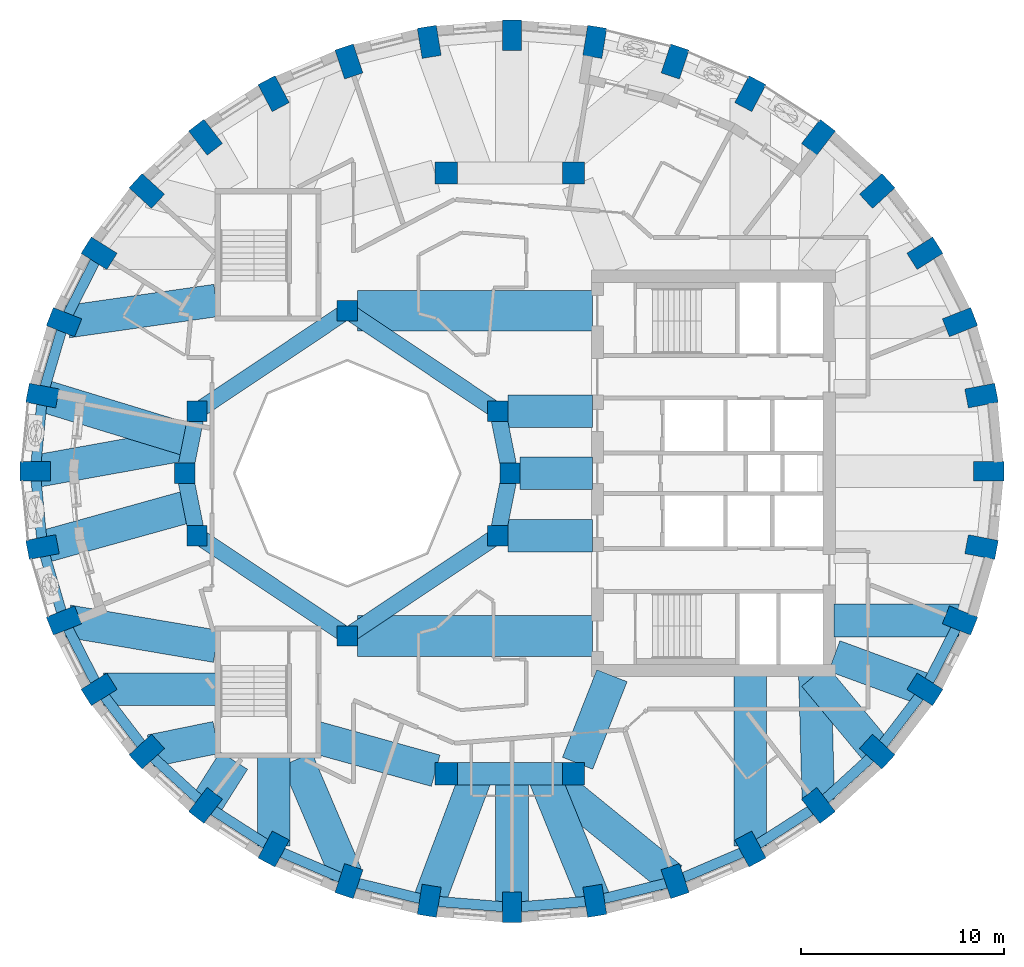
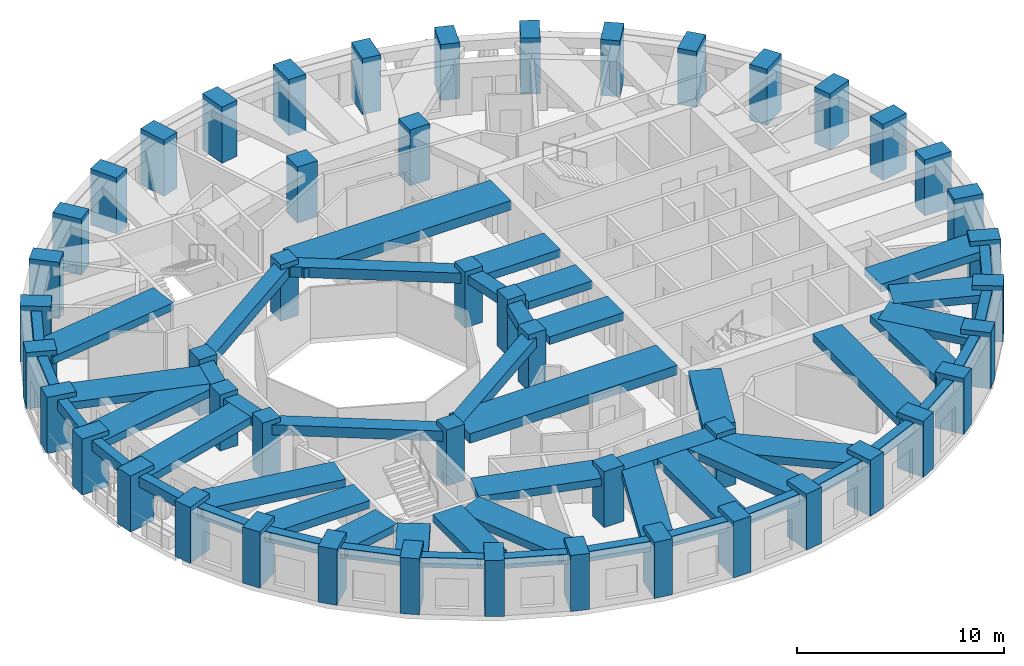
# One storey, part 1 of 12: 54 beams, 48 columns.
"""IFC4 building model written with IfcOpenShell, lengths in metres."""

from ifc_helpers import new_model, si_unit, direction, frame, origin, origin_2d, place, context, subcontext, project, spatial, rectangle, extrude, material, material_profile, profile_set, type_object, element, save


model = new_model("IFC4")

# Units and contexts
model_context = context("Model", 3, precision=1e-05, world=origin(), true_north=direction((0.0, 1.0)))
body_context = subcontext(model_context, "Body", "Model", "MODEL_VIEW")
ifc_project = project(units=[si_unit("LENGTHUNIT", "METRE"), si_unit("AREAUNIT", "SQUARE_METRE"), si_unit("VOLUMEUNIT", "CUBIC_METRE"), si_unit("PLANEANGLEUNIT", "RADIAN"), si_unit("MASSUNIT", "GRAM", prefix="KILO")], contexts=[model_context])

# Site, building, storey
site_placement = place(None, origin())
site = spatial("IfcSite", under=ifc_project, at=site_placement, CompositionType="ELEMENT")
building_placement = place(site_placement, origin())
building = spatial("IfcBuilding", under=site, at=building_placement, Name="Taillehof Tower", CompositionType="ELEMENT")
storey_placement = place(building_placement, frame((0.0, 0.0, 145.10009765625)))
storey = spatial("IfcBuildingStorey", under=building, at=storey_placement, Name="L40", CompositionType="ELEMENT", Elevation=145.10009765625)

# Columns
ifc_material_1 = material(Name="Concrete C50/60", Category="concrete")
ifc_material_profile_1 = material_profile(ifc_material_1, rectangle(XDim=1.0, YDim=1.0, at=origin_2d()), Name="RC 1000x1000")
ifc_profile_set_1 = profile_set([ifc_material_profile_1], Name="Concrete C50/60")
column_type_1 = type_object("IfcColumnType", Name="Atrium ring column C50/60 1000x1000", PredefinedType="COLUMN", material=ifc_profile_set_1)
for number, where, z_axis, x_axis, name in (
    (1, (0.0, 0.0, 0.0), (0.0, 0.0, 1.0), (1.0, 0.0, 0.0), "Column AC01"),
    (2, (-0.60888671875, 3.0615234375, 0.0), (0.0, 0.0, 1.0), (1.0, 0.0, 0.0), "Column AC02"),
    (3, (-8.0, 8.0, 0.0), (0.0, 0.0, 1.0), (1.0, 0.0, 0.0), "Column AC05"),
    (4, (-15.39111328125, 3.0615234375, 0.0), (0.0, 0.0, 1.0), (1.0, 0.0, 0.0), "Column AC08"),
    (5, (-16.0, 0.0, 0.0), (0.0, 0.0, 1.0), (1.0, 0.0, 0.0), "Column AC09"),
    (6, (-15.39111328125, -3.0615234375, 0.0), (0.0, 0.0, 1.0), (1.0, 0.0, 0.0), "Column AC10"),
    (7, (-8.0, -8.0, 0.0), (0.0, 0.0, 1.0), (1.0, 0.0, 0.0), "Column AC13"),
    (8, (-0.60888671875, -3.0615234375, 0.0), (0.0, 0.0, 1.0), (1.0, 0.0, 0.0), "Column AC16"),
):
    element("IfcColumn", number, at=place(storey_placement, frame(where, z_axis=z_axis, x_axis=x_axis)), inside=storey, type_object=column_type_1, Name=name, PredefinedType="COLUMN", context=body_context, shape_type="SweptSolid", body=[
        extrude(rectangle(XDim=1.0, YDim=1.0, at=origin_2d()), origin(), (0.0, 0.0, 1.0), 3.2998046875),
    ])
ifc_material_2 = material(Name="Concrete C50/60", Category="concrete")
ifc_material_profile_2 = material_profile(ifc_material_2, rectangle(XDim=1.10009765625, YDim=1.10009765625, at=origin_2d()), Name="RC 1100x1100")
ifc_profile_set_2 = profile_set([ifc_material_profile_2], Name="Concrete C50/60")
column_type_2 = type_object("IfcColumnType", Name="Mid-ring column C50/60 1100x1100", PredefinedType="COLUMN", material=ifc_profile_set_2)
for number, where, z_axis, x_axis, name in (
    (9, (3.125732421875, 14.772216796875, 0.0), (0.0, 0.0, 1.0), (1.0, 0.0, 0.0), "Column MC05"),
    (10, (-3.125732421875, 14.772216796875, 0.0), (0.0, 0.0, 1.0), (1.0, 0.0, 0.0), "Column MC06"),
    (11, (-3.125732421875, -14.772216796875, 0.0), (0.0, 0.0, 1.0), (1.0, 0.0, 0.0), "Column MC14"),
    (12, (3.125732421875, -14.772216796875, 0.0), (0.0, 0.0, 1.0), (1.0, 0.0, 0.0), "Column MC15"),
):
    element("IfcColumn", number, at=place(storey_placement, frame(where, z_axis=z_axis, x_axis=x_axis)), inside=storey, type_object=column_type_2, Name=name, PredefinedType="COLUMN", context=body_context, shape_type="SweptSolid", body=[
        extrude(rectangle(XDim=1.10009765625, YDim=1.10009765625, at=origin_2d()), origin(), (0.0, 0.0, 1.0), 3.2998046875),
    ])
ifc_material_3 = material(Name="Concrete C60/75", Category="concrete")
ifc_material_profile_3 = material_profile(ifc_material_3, rectangle(XDim=1.5, YDim=0.949951171875, at=origin_2d()), Name="RC 1500x950")
ifc_profile_set_3 = profile_set([ifc_material_profile_3], Name="Concrete C60/75")
column_type_3 = type_object("IfcColumnType", Name="Ring column C60/75 1500x950", PredefinedType="COLUMN", material=ifc_profile_set_3)
for number, where, z_axis, x_axis, name in (
    (13, (23.550048828125, 0.10009765625, 0.0), (0.0, 0.0, 1.0), (1.0, 0.0, 0.0), "Ring column RC01"),
    (14, (23.19384765625, 3.82470703125, 0.0), (0.0, 0.0, 1.0), (0.98202380309, 0.188757119508, 0.0), "Ring column RC02"),
    (15, (22.1357421875, 7.436279296875, 0.0), (0.0, 0.0, 1.0), (0.929511471762, 0.368793199317, 0.0), "Ring column RC03"),
    (16, (20.408203125, 10.824951171875, 0.0), (0.0, 0.0, 1.0), (0.846334224225, 0.532652213837, 0.0), "Ring column RC04"),
    (17, (18.063720703125, 13.8876953125, 0.0), (0.0, 0.0, 1.0), (0.7378786352, 0.674933418727, 0.0), "Ring column RC05"),
    (18, (15.17333984375, 16.53173828125, 0.0), (0.0, 0.0, 1.0), (0.609970500644, 0.792424121506, 0.0), "Ring column RC06"),
    (19, (11.824951171875, 18.67626953125, 0.0), (0.0, 0.0, 1.0), (0.468042101717, 0.883706167807, 0.0), "Ring column RC07"),
    (20, (8.120361328125, 20.25634765625, 0.0), (0.0, 0.0, 1.0), (0.316702950283, 0.948524771043, 0.0), "Ring column RC08"),
    (21, (4.172119140625, 21.22412109375, 0.0), (0.0, 0.0, 1.0), (0.159679090777, 0.987168976401, 0.0), "Ring column RC09"),
    (22, (0.10009765625, 21.550048828125, 0.0), (0.0, 0.0, 1.0), (0.0, 1.0, 0.0), "Ring column RC10"),
    (23, (-3.97216796875, 21.22412109375, 0.0), (0.0, 0.0, 1.0), (-0.159679090777, 0.987168976401, 0.0), "Ring column RC11"),
    (24, (-7.92041015625, 20.25634765625, 0.0), (0.0, 0.0, 1.0), (-0.316702950283, 0.948524771043, 0.0), "Ring column RC12"),
    (25, (-11.625, 18.67626953125, 0.0), (0.0, 0.0, 1.0), (-0.468042101717, 0.883706167807, 0.0), "Ring column RC13"),
    (26, (-14.973388671875, 16.53173828125, 0.0), (0.0, 0.0, 1.0), (-0.609970500644, 0.792424121506, 0.0), "Ring column RC14"),
    (27, (-17.86376953125, 13.8876953125, 0.0), (0.0, 0.0, 1.0), (-0.7378786352, 0.674933418727, 0.0), "Ring column RC15"),
    (28, (-20.208251953125, 10.824951171875, 0.0), (0.0, 0.0, 1.0), (-0.846334224225, 0.532652213837, 0.0), "Ring column RC16"),
    (29, (-21.935791015625, 7.436279296875, 0.0), (0.0, 0.0, 1.0), (-0.929511471762, 0.368793199317, 0.0), "Ring column RC17"),
    (30, (-22.99365234375, 3.82470703125, 0.0), (0.0, 0.0, 1.0), (-0.98202380309, 0.188757119508, 0.0), "Ring column RC18"),
    (31, (-23.35009765625, 0.10009765625, 0.0), (0.0, 0.0, 1.0), (-1.0, 0.0, 0.0), "Ring column RC19"),
    (32, (-22.99365234375, -3.624755859375, 0.0), (0.0, 0.0, 1.0), (-0.98202380309, -0.188757119508, 0.0), "Ring column RC20"),
    (33, (-21.935791015625, -7.236328125, 0.0), (0.0, 0.0, 1.0), (-0.929511471762, -0.368793199317, 0.0), "Ring column RC21"),
    (34, (-20.208251953125, -10.625, 0.0), (0.0, 0.0, 1.0), (-0.846334224225, -0.532652213837, 0.0), "Ring column RC22"),
    (35, (-17.86376953125, -13.687744140625, 0.0), (0.0, 0.0, 1.0), (-0.7378786352, -0.674933418727, 0.0), "Ring column RC23"),
    (36, (-14.973388671875, -16.33154296875, 0.0), (0.0, 0.0, 1.0), (-0.609970500644, -0.792424121506, 0.0), "Ring column RC24"),
    (37, (-11.625, -18.476318359375, 0.0), (0.0, 0.0, 1.0), (-0.468042101717, -0.883706167807, 0.0), "Ring column RC25"),
    (38, (-7.92041015625, -20.056396484375, 0.0), (0.0, 0.0, 1.0), (-0.316702950283, -0.948524771043, 0.0), "Ring column RC26"),
    (39, (-3.97216796875, -21.024169921875, 0.0), (0.0, 0.0, 1.0), (-0.159679090777, -0.987168976401, 0.0), "Ring column RC27"),
    (40, (0.10009765625, -21.35009765625, 0.0), (0.0, 0.0, 1.0), (0.0, -1.0, 0.0), "Ring column RC28"),
    (41, (4.172119140625, -21.024169921875, 0.0), (0.0, 0.0, 1.0), (0.159679090777, -0.987168976401, 0.0), "Ring column RC29"),
    (42, (8.120361328125, -20.056396484375, 0.0), (0.0, 0.0, 1.0), (0.316702950283, -0.948524771043, 0.0), "Ring column RC30"),
    (43, (11.824951171875, -18.476318359375, 0.0), (0.0, 0.0, 1.0), (0.468042101717, -0.883706167807, 0.0), "Ring column RC31"),
    (44, (15.17333984375, -16.33154296875, 0.0), (0.0, 0.0, 1.0), (0.609970500644, -0.792424121506, 0.0), "Ring column RC32"),
    (45, (18.063720703125, -13.687744140625, 0.0), (0.0, 0.0, 1.0), (0.7378786352, -0.674933418727, 0.0), "Ring column RC33"),
    (46, (20.408203125, -10.625, 0.0), (0.0, 0.0, 1.0), (0.846334224225, -0.532652213837, 0.0), "Ring column RC34"),
    (47, (22.1357421875, -7.236328125, 0.0), (0.0, 0.0, 1.0), (0.929511471762, -0.368793199317, 0.0), "Ring column RC35"),
    (48, (23.19384765625, -3.624755859375, 0.0), (0.0, 0.0, 1.0), (0.98202380309, -0.188757119508, 0.0), "Ring column RC36"),
):
    element("IfcColumn", number, at=place(storey_placement, frame(where, z_axis=z_axis, x_axis=x_axis)), inside=storey, type_object=column_type_3, Name=name, PredefinedType="COLUMN", context=body_context, shape_type="SweptSolid", body=[
        extrude(rectangle(XDim=1.5, YDim=0.949951171875, at=origin_2d()), origin(), (0.0, 0.0, 1.0), 3.2998046875),
    ])

# Beams
ifc_material_4 = material(Name="Concrete C50/60", Category="concrete")
ifc_material_profile_4 = material_profile(ifc_material_4, rectangle(XDim=0.800048828125, YDim=0.5, at=origin_2d()), Name="RC 800x500")
ifc_profile_set_4 = profile_set([ifc_material_profile_4], Name="Concrete C50/60")
beam_type_1 = type_object("IfcBeamType", Name="Atrium ring beam C50/60 800x500", PredefinedType="BEAM", material=ifc_profile_set_4)
for number, where, z_axis, x_axis, name in (
    (49, (0.0, 0.0, 2.77001953125), (-0.195063155143, 0.980790683839, 0.0), (-0.980790683839, -0.195063155143, 0.0), "Atrium ring beam AB01"),
    (50, (-15.39111328125, 3.0615234375, 2.77001953125), (-0.195063155143, -0.980790683839, 0.0), (0.980790683839, -0.195063155143, 0.0), "Atrium ring beam AB04"),
    (51, (-16.0, 0.0, 2.77001953125), (0.195063155143, -0.980790683839, 0.0), (0.980790683839, 0.195063155143, 0.0), "Atrium ring beam AB05"),
    (52, (-0.60888671875, -3.0615234375, 2.77001953125), (0.195063155143, 0.980790683839, 0.0), (-0.980790683839, 0.195063155143, 0.0), "Atrium ring beam AB08"),
):
    element("IfcBeam", number, at=place(storey_placement, frame(where, z_axis=z_axis, x_axis=x_axis)), inside=storey, type_object=beam_type_1, Name=name, PredefinedType="BEAM", context=body_context, shape_type="SweptSolid", body=[
        extrude(rectangle(XDim=0.800048828125, YDim=0.5, at=origin_2d()), origin(), (0.0, 0.0, 1.0), 3.12158203125),
    ])
ifc_material_5 = material(Name="Concrete C50/60", Category="concrete")
ifc_material_profile_5 = material_profile(ifc_material_5, rectangle(XDim=0.800048828125, YDim=0.60009765625, at=origin_2d()), Name="RC 800x600")
ifc_profile_set_5 = profile_set([ifc_material_profile_5], Name="Concrete C50/60")
beam_type_2 = type_object("IfcBeamType", Name="Atrium ring beam C50/60 800x600", PredefinedType="BEAM", material=ifc_profile_set_5)
for number, where, z_axis, x_axis, name in (
    (53, (-0.60888671875, 3.0615234375, 2.719970703125), (-0.831475195687, 0.555561876804, 0.0), (-0.555561876804, -0.831475195687, 0.0), "Atrium ring beam AB02"),
    (54, (-8.0, 8.0, 2.719970703125), (-0.831475195687, -0.555561876804, 0.0), (0.555561876804, -0.831475195687, 0.0), "Atrium ring beam AB03"),
    (55, (-15.39111328125, -3.0615234375, 2.719970703125), (0.831475195687, -0.555561876804, 0.0), (0.555561876804, 0.831475195687, 0.0), "Atrium ring beam AB06"),
    (56, (-8.0, -8.0, 2.719970703125), (0.831475195687, 0.555561876804, 0.0), (-0.555561876804, 0.831475195687, 0.0), "Atrium ring beam AB07"),
):
    element("IfcBeam", number, at=place(storey_placement, frame(where, z_axis=z_axis, x_axis=x_axis)), inside=storey, type_object=beam_type_2, Name=name, PredefinedType="BEAM", context=body_context, shape_type="SweptSolid", body=[
        extrude(rectangle(XDim=0.800048828125, YDim=0.60009765625, at=origin_2d()), origin(), (0.0, 0.0, 1.0), 8.88916015625),
    ])
ifc_material_6 = material(Name="Concrete C50/60", Category="concrete")
ifc_material_profile_6 = material_profile(ifc_material_6, rectangle(XDim=1.10009765625, YDim=0.60009765625, at=origin_2d()), Name="RC 1100x600")
ifc_profile_set_6 = profile_set([ifc_material_profile_6], Name="Concrete C50/60")
beam_type_3 = type_object("IfcBeamType", Name="Mid-ring beam C50/60 1100x600", PredefinedType="BEAM", material=ifc_profile_set_6)
beam_1_placement = place(storey_placement, frame((-3.125732421875, -14.772216796875, 2.719970703125), z_axis=(1.0, 0.0, 0.0), x_axis=(0.0, 1.0, 0.0)))
element("IfcBeam", 57, at=beam_1_placement, inside=storey, type_object=beam_type_3, Name="Mid-ring beam MB02", PredefinedType="BEAM", context=body_context, shape_type="SweptSolid", body=[
    extrude(rectangle(XDim=1.10009765625, YDim=0.60009765625, at=origin_2d()), origin(), (0.0, 0.0, 1.0), 6.25146484375),
])
ifc_material_7 = material(Name="Concrete C50/60", Category="concrete")
ifc_material_profile_7 = material_profile(ifc_material_7, rectangle(XDim=1.60009765625, YDim=0.449951171875, at=origin_2d()), Name="RC 1600x450")
ifc_profile_set_7 = profile_set([ifc_material_profile_7], Name="Concrete C50/60")
beam_type_4 = type_object("IfcBeamType", Name="Radial band beam C50/60 1600x450", PredefinedType="BEAM", material=ifc_profile_set_7)
beam_2_placement = place(storey_placement, frame((-21.766845703125, 7.46044921875, 2.794921875), z_axis=(0.989922388732, 0.141610961042, 0.0), x_axis=(-0.141610961042, 0.989922388732, 0.0)))
element("IfcBeam", 58, at=beam_2_placement, inside=storey, type_object=beam_type_4, Name="Radial band beam RB17", PredefinedType="BEAM", context=body_context, shape_type="SweptSolid", body=[
    extrude(rectangle(XDim=1.60009765625, YDim=0.449951171875, at=origin_2d()), origin(), (0.0, 0.0, 1.0), 7.390869140625),
])
beam_3_placement = place(storey_placement, frame((-22.99365234375, 3.82470703125, 2.794921875), z_axis=(0.956324293447, -0.292307792854, 0.0), x_axis=(0.292307792854, 0.956324293447, 0.0)))
element("IfcBeam", 59, at=beam_3_placement, inside=storey, type_object=beam_type_4, Name="Radial band beam RB18", PredefinedType="BEAM", context=body_context, shape_type="SweptSolid", body=[
    extrude(rectangle(XDim=1.60009765625, YDim=0.449951171875, at=origin_2d()), origin(), (0.0, 0.0, 1.0), 7.643798828125),
])
beam_4_placement = place(storey_placement, frame((-23.35009765625, 0.10009765625, 2.794921875), z_axis=(0.984286763882, 0.176577366745, 0.0), x_axis=(-0.176577366745, 0.984286763882, 0.0)))
element("IfcBeam", 60, at=beam_4_placement, inside=storey, type_object=beam_type_4, Name="Radial band beam RB19", PredefinedType="BEAM", context=body_context, shape_type="SweptSolid", body=[
    extrude(rectangle(XDim=1.60009765625, YDim=0.449951171875, at=origin_2d()), origin(), (0.0, 0.0, 1.0), 7.764892578125),
])
beam_5_placement = place(storey_placement, frame((-22.99365234375, -3.624755859375, 2.794921875), z_axis=(0.96338688135, 0.268115118639, 0.0), x_axis=(-0.268115118639, 0.96338688135, 0.0)))
element("IfcBeam", 61, at=beam_5_placement, inside=storey, type_object=beam_type_4, Name="Radial band beam RB20", PredefinedType="BEAM", context=body_context, shape_type="SweptSolid", body=[
    extrude(rectangle(XDim=1.60009765625, YDim=0.449951171875, at=origin_2d()), origin(), (0.0, 0.0, 1.0), 7.587890625),
])
beam_6_placement = place(storey_placement, frame((-21.744140625, -7.268798828125, 2.794921875), z_axis=(0.985864460395, -0.167544817079, 0.0), x_axis=(0.167544817079, 0.985864460395, 0.0)))
element("IfcBeam", 62, at=beam_6_placement, inside=storey, type_object=beam_type_4, Name="Radial band beam RB21", PredefinedType="BEAM", context=body_context, shape_type="SweptSolid", body=[
    extrude(rectangle(XDim=1.60009765625, YDim=0.449951171875, at=origin_2d()), origin(), (0.0, 0.0, 1.0), 7.39794921875),
])
beam_7_placement = place(storey_placement, frame((-19.9990234375, -10.625, 2.794921875), z_axis=(1.0, 0.0, 0.0), x_axis=(0.0, 1.0, 0.0)))
element("IfcBeam", 63, at=beam_7_placement, inside=storey, type_object=beam_type_4, Name="Radial band beam RB22", PredefinedType="BEAM", context=body_context, shape_type="SweptSolid", body=[
    extrude(rectangle(XDim=1.60009765625, YDim=0.449951171875, at=origin_2d()), origin(), (0.0, 0.0, 1.0), 5.549072265625),
])
beam_8_placement = place(storey_placement, frame((-17.678955078125, -13.64990234375, 2.794921875), z_axis=(0.979736748385, 0.200289550059, 0.0), x_axis=(-0.200289550059, 0.979736748385, 0.0)))
element("IfcBeam", 64, at=beam_8_placement, inside=storey, type_object=beam_type_4, Name="Radial band beam RB23", PredefinedType="BEAM", context=body_context, shape_type="SweptSolid", body=[
    extrude(rectangle(XDim=1.60009765625, YDim=0.449951171875, at=origin_2d()), origin(), (0.0, 0.0, 1.0), 3.294677734375),
])
beam_9_placement = place(storey_placement, frame((-14.973388671875, -16.33154296875, 2.794921875), z_axis=(0.534207803896, 0.845353193794, 0.0), x_axis=(-0.845353193794, 0.534207803896, 0.0)))
element("IfcBeam", 65, at=beam_9_placement, inside=storey, type_object=beam_type_4, Name="Radial band beam RB24", PredefinedType="BEAM", context=body_context, shape_type="SweptSolid", body=[
    extrude(rectangle(XDim=1.60009765625, YDim=0.449951171875, at=origin_2d()), origin(), (0.0, 0.0, 1.0), 2.608154296875),
])
beam_10_placement = place(storey_placement, frame((-11.625, -18.33642578125, 2.794921875), z_axis=(0.0, 1.0, 0.0), x_axis=(-1.0, 0.0, 0.0)))
element("IfcBeam", 66, at=beam_10_placement, inside=storey, type_object=beam_type_4, Name="Radial band beam RB25", PredefinedType="BEAM", context=body_context, shape_type="SweptSolid", body=[
    extrude(rectangle(XDim=1.60009765625, YDim=0.449951171875, at=origin_2d()), origin(), (0.0, 0.0, 1.0), 4.386474609375),
])
beam_11_placement = place(storey_placement, frame((-8.049072265625, -19.75390625, 2.794921875), z_axis=(-0.391879389257, 0.9200166, 0.0), x_axis=(-0.9200166, -0.391879389257, 0.0)))
element("IfcBeam", 67, at=beam_11_placement, inside=storey, type_object=beam_type_4, Name="Radial band beam RB26", PredefinedType="BEAM", context=body_context, shape_type="SweptSolid", body=[
    extrude(rectangle(XDim=1.60009765625, YDim=0.449951171875, at=origin_2d()), origin(), (0.0, 0.0, 1.0), 6.18505859375),
])
beam_12_placement = place(storey_placement, frame((-3.97216796875, -21.024169921875, 2.794921875), z_axis=(0.351379850477, 0.936232984186, 0.0), x_axis=(-0.936232984186, 0.351379850477, 0.0)))
element("IfcBeam", 68, at=beam_12_placement, inside=storey, type_object=beam_type_4, Name="Radial band beam RB27", PredefinedType="BEAM", context=body_context, shape_type="SweptSolid", body=[
    extrude(rectangle(XDim=1.60009765625, YDim=0.449951171875, at=origin_2d()), origin(), (0.0, 0.0, 1.0), 6.677734375),
])
beam_13_placement = place(storey_placement, frame((0.10009765625, -21.35009765625, 2.794921875), z_axis=(0.0, 1.0, 0.0), x_axis=(-1.0, 0.0, 0.0)))
element("IfcBeam", 69, at=beam_13_placement, inside=storey, type_object=beam_type_4, Name="Radial band beam RB28", PredefinedType="BEAM", context=body_context, shape_type="SweptSolid", body=[
    extrude(rectangle(XDim=1.60009765625, YDim=0.449951171875, at=origin_2d()), origin(), (0.0, 0.0, 1.0), 6.577880859375),
])
beam_14_placement = place(storey_placement, frame((4.172119140625, -21.024169921875, 2.794921875), z_axis=(-0.377207279938, 0.926128861424, 0.0), x_axis=(-0.926128861424, -0.377207279938, 0.0)))
element("IfcBeam", 70, at=beam_14_placement, inside=storey, type_object=beam_type_4, Name="Radial band beam RB29", PredefinedType="BEAM", context=body_context, shape_type="SweptSolid", body=[
    extrude(rectangle(XDim=1.60009765625, YDim=0.449951171875, at=origin_2d()), origin(), (0.0, 0.0, 1.0), 6.750732421875),
])
beam_15_placement = place(storey_placement, frame((7.95556640625, -19.92236328125, 2.794921875), z_axis=(-0.775687012842, 0.631117784655, 0.0), x_axis=(-0.631117784655, -0.775687012842, 0.0)))
element("IfcBeam", 71, at=beam_15_placement, inside=storey, type_object=beam_type_4, Name="Radial band beam RB30", PredefinedType="BEAM", context=body_context, shape_type="SweptSolid", body=[
    extrude(rectangle(XDim=1.60009765625, YDim=0.449951171875, at=origin_2d()), origin(), (0.0, 0.0, 1.0), 8.048583984375),
])
beam_16_placement = place(storey_placement, frame((11.824951171875, -18.33642578125, 2.794921875), z_axis=(0.0, 1.0, 0.0), x_axis=(-1.0, 0.0, 0.0)))
element("IfcBeam", 72, at=beam_16_placement, inside=storey, type_object=beam_type_4, Name="Radial band beam RB31", PredefinedType="BEAM", context=body_context, shape_type="SweptSolid", body=[
    extrude(rectangle(XDim=1.60009765625, YDim=0.449951171875, at=origin_2d()), origin(), (0.0, 0.0, 1.0), 8.386474609375),
])
beam_17_placement = place(storey_placement, frame((15.166015625, -16.060546875, 2.794921875), z_axis=(-0.027397917621, 0.999624606595, 0.0), x_axis=(-0.999624606595, -0.027397917621, 0.0)))
element("IfcBeam", 73, at=beam_17_placement, inside=storey, type_object=beam_type_4, Name="Radial band beam RB32", PredefinedType="BEAM", context=body_context, shape_type="SweptSolid", body=[
    extrude(rectangle(XDim=1.60009765625, YDim=0.449951171875, at=origin_2d()), origin(), (0.0, 0.0, 1.0), 6.11279296875),
])
beam_18_placement = place(storey_placement, frame((18.063720703125, -13.687744140625, 2.794921875), z_axis=(-0.639018777093, 0.769191135234, 0.0), x_axis=(-0.769191135234, -0.639018777093, 0.0)))
element("IfcBeam", 74, at=beam_18_placement, inside=storey, type_object=beam_type_4, Name="Radial band beam RB33", PredefinedType="BEAM", context=body_context, shape_type="SweptSolid", body=[
    extrude(rectangle(XDim=1.60009765625, YDim=0.449951171875, at=origin_2d()), origin(), (0.0, 0.0, 1.0), 4.844482421875),
])
beam_19_placement = place(storey_placement, frame((20.408203125, -10.625, 2.794921875), z_axis=(-0.938275503033, 0.345888826661, 0.0), x_axis=(-0.345888826661, -0.938275503033, 0.0)))
element("IfcBeam", 75, at=beam_19_placement, inside=storey, type_object=beam_type_4, Name="Radial band beam RB34", PredefinedType="BEAM", context=body_context, shape_type="SweptSolid", body=[
    extrude(rectangle(XDim=1.60009765625, YDim=0.449951171875, at=origin_2d()), origin(), (0.0, 0.0, 1.0), 4.748046875),
])
beam_20_placement = place(storey_placement, frame((22.08642578125, -7.236328125, 2.794921875), z_axis=(-1.0, 0.0, 0.0), x_axis=(0.0, -1.0, 0.0)))
element("IfcBeam", 76, at=beam_20_placement, inside=storey, type_object=beam_type_4, Name="Radial band beam RB35", PredefinedType="BEAM", context=body_context, shape_type="SweptSolid", body=[
    extrude(rectangle(XDim=1.60009765625, YDim=0.449951171875, at=origin_2d()), origin(), (0.0, 0.0, 1.0), 6.136474609375),
])
beam_21_placement = place(storey_placement, frame((0.5, 0.0, 2.794921875), z_axis=(1.0, 0.0, 0.0), x_axis=(0.0, 1.0, 0.0)))
element("IfcBeam", 77, at=beam_21_placement, inside=storey, type_object=beam_type_4, Name="Inner band beam IB101", PredefinedType="BEAM", context=body_context, shape_type="SweptSolid", body=[
    extrude(rectangle(XDim=1.60009765625, YDim=0.449951171875, at=origin_2d()), origin(), (0.0, 0.0, 1.0), 3.550048828125),
])
for number, where, z_axis, x_axis, name in (
    (78, (-0.10888671875, 3.0615234375, 2.794921875), (1.0, 0.0, 0.0), (0.0, 1.0, 0.0), "Inner band beam IB102"),
    (79, (-0.10888671875, -3.0615234375, 2.794921875), (1.0, 0.0, 0.0), (0.0, 1.0, 0.0), "Inner band beam IB116"),
):
    element("IfcBeam", number, at=place(storey_placement, frame(where, z_axis=z_axis, x_axis=x_axis)), inside=storey, type_object=beam_type_4, Name=name, PredefinedType="BEAM", context=body_context, shape_type="SweptSolid", body=[
        extrude(rectangle(XDim=1.60009765625, YDim=0.449951171875, at=origin_2d()), origin(), (0.0, 0.0, 1.0), 4.158935546875),
    ])
beam_22_placement = place(storey_placement, frame((-3.655517578125, -14.624755859375, 2.794921875), z_axis=(-0.963459369536, 0.267854518821, 0.0), x_axis=(-0.267854518821, -0.963459369536, 0.0)))
element("IfcBeam", 80, at=beam_22_placement, inside=storey, type_object=beam_type_4, Name="Inner band beam IB214", PredefinedType="BEAM", context=body_context, shape_type="SweptSolid", body=[
    extrude(rectangle(XDim=1.60009765625, YDim=0.449951171875, at=origin_2d()), origin(), (0.0, 0.0, 1.0), 6.096923828125),
])
beam_23_placement = place(storey_placement, frame((3.32666015625, -14.26025390625, 2.794921875), z_axis=(0.365588707223, 0.930776502255, 0.0), x_axis=(-0.930776502255, 0.365588707223, 0.0)))
element("IfcBeam", 81, at=beam_23_placement, inside=storey, type_object=beam_type_4, Name="Inner band beam IB215", PredefinedType="BEAM", context=body_context, shape_type="SweptSolid", body=[
    extrude(rectangle(XDim=1.60009765625, YDim=0.449951171875, at=origin_2d()), origin(), (0.0, 0.0, 1.0), 4.627197265625),
])
ifc_material_8 = material(Name="Concrete C50/60", Category="concrete")
ifc_material_profile_8 = material_profile(ifc_material_8, rectangle(XDim=2.0, YDim=0.550048828125, at=origin_2d()), Name="RC 2000x550")
ifc_profile_set_8 = profile_set([ifc_material_profile_8], Name="Concrete C50/60")
beam_type_5 = type_object("IfcBeamType", Name="Radial band beam C50/60 2000x550", PredefinedType="BEAM", material=ifc_profile_set_8)
for number, where, z_axis, x_axis, name in (
    (82, (-7.5, 8.0, 2.744873046875), (1.0, 0.0, 0.0), (0.0, 1.0, 0.0), "Inner band beam IB105"),
    (83, (-7.5, -8.0, 2.744873046875), (1.0, 0.0, 0.0), (0.0, 1.0, 0.0), "Inner band beam IB113"),
):
    element("IfcBeam", number, at=place(storey_placement, frame(where, z_axis=z_axis, x_axis=x_axis)), inside=storey, type_object=beam_type_5, Name=name, PredefinedType="BEAM", context=body_context, shape_type="SweptSolid", body=[
        extrude(rectangle(XDim=2.0, YDim=0.550048828125, at=origin_2d()), origin(), (0.0, 0.0, 1.0), 11.550048828125),
    ])
ifc_material_9 = material(Name="Concrete C50/60", Category="concrete")
ifc_material_profile_9 = material_profile(ifc_material_9, rectangle(XDim=0.5, YDim=0.60009765625, at=origin_2d()), Name="RC 500x600")
ifc_profile_set_9 = profile_set([ifc_material_profile_9], Name="Concrete C50/60")
beam_type_6 = type_object("IfcBeamType", Name="Spandrel beam C50/60 500x600", PredefinedType="SPANDREL", material=ifc_profile_set_9)
beam_24_placement = place(storey_placement, frame((-20.208251953125, 10.824951171875, 2.719970703125), z_axis=(-0.454183451696, -0.890908183937, 0.0), x_axis=(0.890908183937, -0.454183451696, 0.0)))
element("IfcBeam", 84, at=beam_24_placement, inside=storey, type_object=beam_type_6, Name="Spandrel beam SB16", PredefinedType="SPANDREL", context=body_context, shape_type="SweptSolid", body=[
    extrude(rectangle(XDim=0.5, YDim=0.60009765625, at=origin_2d()), origin(), (0.0, 0.0, 1.0), 3.8037109375),
])
beam_25_placement = place(storey_placement, frame((-21.935791015625, 7.436279296875, 2.719970703125), z_axis=(-0.281098416478, -0.959678946447, 0.0), x_axis=(0.959678946447, -0.281098416478, 0.0)))
element("IfcBeam", 85, at=beam_25_placement, inside=storey, type_object=beam_type_6, Name="Spandrel beam SB17", PredefinedType="SPANDREL", context=body_context, shape_type="SweptSolid", body=[
    extrude(rectangle(XDim=0.5, YDim=0.60009765625, at=origin_2d()), origin(), (0.0, 0.0, 1.0), 3.763427734375),
])
beam_26_placement = place(storey_placement, frame((-22.99365234375, 3.82470703125, 2.719970703125), z_axis=(-0.095264805358, -0.995451966124, 0.0), x_axis=(0.995451966124, -0.095264805358, 0.0)))
element("IfcBeam", 86, at=beam_26_placement, inside=storey, type_object=beam_type_6, Name="Spandrel beam SB18", PredefinedType="SPANDREL", context=body_context, shape_type="SweptSolid", body=[
    extrude(rectangle(XDim=0.5, YDim=0.60009765625, at=origin_2d()), origin(), (0.0, 0.0, 1.0), 3.74169921875),
])
beam_27_placement = place(storey_placement, frame((-23.35009765625, 0.10009765625, 2.719970703125), z_axis=(0.095258618013, -0.995452558234, 0.0), x_axis=(0.995452558234, 0.095258618013, 0.0)))
element("IfcBeam", 87, at=beam_27_placement, inside=storey, type_object=beam_type_6, Name="Spandrel beam SB19", PredefinedType="SPANDREL", context=body_context, shape_type="SweptSolid", body=[
    extrude(rectangle(XDim=0.5, YDim=0.60009765625, at=origin_2d()), origin(), (0.0, 0.0, 1.0), 3.741943359375),
])
beam_28_placement = place(storey_placement, frame((-22.99365234375, -3.624755859375, 2.719970703125), z_axis=(0.281098416478, -0.959678946447, 0.0), x_axis=(0.959678946447, 0.281098416478, 0.0)))
element("IfcBeam", 88, at=beam_28_placement, inside=storey, type_object=beam_type_6, Name="Spandrel beam SB20", PredefinedType="SPANDREL", context=body_context, shape_type="SweptSolid", body=[
    extrude(rectangle(XDim=0.5, YDim=0.60009765625, at=origin_2d()), origin(), (0.0, 0.0, 1.0), 3.763427734375),
])
beam_29_placement = place(storey_placement, frame((-21.935791015625, -7.236328125, 2.719970703125), z_axis=(0.454183451696, -0.890908183937, 0.0), x_axis=(0.890908183937, 0.454183451696, 0.0)))
element("IfcBeam", 89, at=beam_29_placement, inside=storey, type_object=beam_type_6, Name="Spandrel beam SB21", PredefinedType="SPANDREL", context=body_context, shape_type="SweptSolid", body=[
    extrude(rectangle(XDim=0.5, YDim=0.60009765625, at=origin_2d()), origin(), (0.0, 0.0, 1.0), 3.8037109375),
])
beam_30_placement = place(storey_placement, frame((-20.208251953125, -10.625, 2.719970703125), z_axis=(0.60784004271, -0.794059495553, 0.0), x_axis=(0.794059495553, 0.60784004271, 0.0)))
element("IfcBeam", 90, at=beam_30_placement, inside=storey, type_object=beam_type_6, Name="Spandrel beam SB22", PredefinedType="SPANDREL", context=body_context, shape_type="SweptSolid", body=[
    extrude(rectangle(XDim=0.5, YDim=0.60009765625, at=origin_2d()), origin(), (0.0, 0.0, 1.0), 3.857177734375),
])
beam_31_placement = place(storey_placement, frame((-17.86376953125, -13.687744140625, 2.719970703125), z_axis=(0.737880696592, -0.674931165081, 0.0), x_axis=(0.674931165081, 0.737880696592, 0.0)))
element("IfcBeam", 91, at=beam_31_placement, inside=storey, type_object=beam_type_6, Name="Spandrel beam SB23", PredefinedType="SPANDREL", context=body_context, shape_type="SweptSolid", body=[
    extrude(rectangle(XDim=0.5, YDim=0.60009765625, at=origin_2d()), origin(), (0.0, 0.0, 1.0), 3.917236328125),
])
beam_32_placement = place(storey_placement, frame((-14.973388671875, -16.33154296875, 2.719970703125), z_axis=(0.842065054946, -0.539375975771, 0.0), x_axis=(0.539375975771, 0.842065054946, 0.0)))
element("IfcBeam", 92, at=beam_32_placement, inside=storey, type_object=beam_type_6, Name="Spandrel beam SB24", PredefinedType="SPANDREL", context=body_context, shape_type="SweptSolid", body=[
    extrude(rectangle(XDim=0.5, YDim=0.60009765625, at=origin_2d()), origin(), (0.0, 0.0, 1.0), 3.976318359375),
])
beam_33_placement = place(storey_placement, frame((-11.625, -18.476318359375, 2.719970703125), z_axis=(0.919827173659, -0.392323808351, 0.0), x_axis=(0.392323808351, 0.919827173659, 0.0)))
element("IfcBeam", 93, at=beam_33_placement, inside=storey, type_object=beam_type_6, Name="Spandrel beam SB25", PredefinedType="SPANDREL", context=body_context, shape_type="SweptSolid", body=[
    extrude(rectangle(XDim=0.5, YDim=0.60009765625, at=origin_2d()), origin(), (0.0, 0.0, 1.0), 4.027587890625),
])
beam_34_placement = place(storey_placement, frame((-7.92041015625, -20.056396484375, 2.719970703125), z_axis=(0.971248584585, -0.238067610023, 0.0), x_axis=(0.238067610023, 0.971248584585, 0.0)))
element("IfcBeam", 94, at=beam_34_placement, inside=storey, type_object=beam_type_6, Name="Spandrel beam SB26", PredefinedType="SPANDREL", context=body_context, shape_type="SweptSolid", body=[
    extrude(rectangle(XDim=0.5, YDim=0.60009765625, at=origin_2d()), origin(), (0.0, 0.0, 1.0), 4.065185546875),
])
beam_35_placement = place(storey_placement, frame((-3.97216796875, -21.024169921875, 2.719970703125), z_axis=(0.996812427616, -0.079780850771, 0.0), x_axis=(0.079780850771, 0.996812427616, 0.0)))
element("IfcBeam", 95, at=beam_35_placement, inside=storey, type_object=beam_type_6, Name="Spandrel beam SB27", PredefinedType="SPANDREL", context=body_context, shape_type="SweptSolid", body=[
    extrude(rectangle(XDim=0.5, YDim=0.60009765625, at=origin_2d()), origin(), (0.0, 0.0, 1.0), 4.085205078125),
])
beam_36_placement = place(storey_placement, frame((0.10009765625, -21.35009765625, 2.719970703125), z_axis=(0.996812047205, 0.079785603634, 0.0), x_axis=(-0.079785603634, 0.996812047205, 0.0)))
element("IfcBeam", 96, at=beam_36_placement, inside=storey, type_object=beam_type_6, Name="Spandrel beam SB28", PredefinedType="SPANDREL", context=body_context, shape_type="SweptSolid", body=[
    extrude(rectangle(XDim=0.5, YDim=0.60009765625, at=origin_2d()), origin(), (0.0, 0.0, 1.0), 4.0849609375),
])
beam_37_placement = place(storey_placement, frame((4.172119140625, -21.024169921875, 2.719970703125), z_axis=(0.971248584585, 0.238067610023, 0.0), x_axis=(-0.238067610023, 0.971248584585, 0.0)))
element("IfcBeam", 97, at=beam_37_placement, inside=storey, type_object=beam_type_6, Name="Spandrel beam SB29", PredefinedType="SPANDREL", context=body_context, shape_type="SweptSolid", body=[
    extrude(rectangle(XDim=0.5, YDim=0.60009765625, at=origin_2d()), origin(), (0.0, 0.0, 1.0), 4.065185546875),
])
beam_38_placement = place(storey_placement, frame((8.120361328125, -20.056396484375, 2.719970703125), z_axis=(0.919827173659, 0.392323808351, 0.0), x_axis=(-0.392323808351, 0.919827173659, 0.0)))
element("IfcBeam", 98, at=beam_38_placement, inside=storey, type_object=beam_type_6, Name="Spandrel beam SB30", PredefinedType="SPANDREL", context=body_context, shape_type="SweptSolid", body=[
    extrude(rectangle(XDim=0.5, YDim=0.60009765625, at=origin_2d()), origin(), (0.0, 0.0, 1.0), 4.027587890625),
])
beam_39_placement = place(storey_placement, frame((11.824951171875, -18.476318359375, 2.719970703125), z_axis=(0.842065054946, 0.539375975771, 0.0), x_axis=(-0.539375975771, 0.842065054946, 0.0)))
element("IfcBeam", 99, at=beam_39_placement, inside=storey, type_object=beam_type_6, Name="Spandrel beam SB31", PredefinedType="SPANDREL", context=body_context, shape_type="SweptSolid", body=[
    extrude(rectangle(XDim=0.5, YDim=0.60009765625, at=origin_2d()), origin(), (0.0, 0.0, 1.0), 3.976318359375),
])
beam_40_placement = place(storey_placement, frame((15.17333984375, -16.33154296875, 2.719970703125), z_axis=(0.737880696592, 0.674931165081, 0.0), x_axis=(-0.674931165081, 0.737880696592, 0.0)))
element("IfcBeam", 100, at=beam_40_placement, inside=storey, type_object=beam_type_6, Name="Spandrel beam SB32", PredefinedType="SPANDREL", context=body_context, shape_type="SweptSolid", body=[
    extrude(rectangle(XDim=0.5, YDim=0.60009765625, at=origin_2d()), origin(), (0.0, 0.0, 1.0), 3.917236328125),
])
beam_41_placement = place(storey_placement, frame((18.063720703125, -13.687744140625, 2.719970703125), z_axis=(0.60784004271, 0.794059495553, 0.0), x_axis=(-0.794059495553, 0.60784004271, 0.0)))
element("IfcBeam", 101, at=beam_41_placement, inside=storey, type_object=beam_type_6, Name="Spandrel beam SB33", PredefinedType="SPANDREL", context=body_context, shape_type="SweptSolid", body=[
    extrude(rectangle(XDim=0.5, YDim=0.60009765625, at=origin_2d()), origin(), (0.0, 0.0, 1.0), 3.857177734375),
])
beam_42_placement = place(storey_placement, frame((20.408203125, -10.625, 2.719970703125), z_axis=(0.454183451696, 0.890908183937, 0.0), x_axis=(-0.890908183937, 0.454183451696, 0.0)))
element("IfcBeam", 102, at=beam_42_placement, inside=storey, type_object=beam_type_6, Name="Spandrel beam SB34", PredefinedType="SPANDREL", context=body_context, shape_type="SweptSolid", body=[
    extrude(rectangle(XDim=0.5, YDim=0.60009765625, at=origin_2d()), origin(), (0.0, 0.0, 1.0), 3.8037109375),
])

save(model, "model.ifc")
